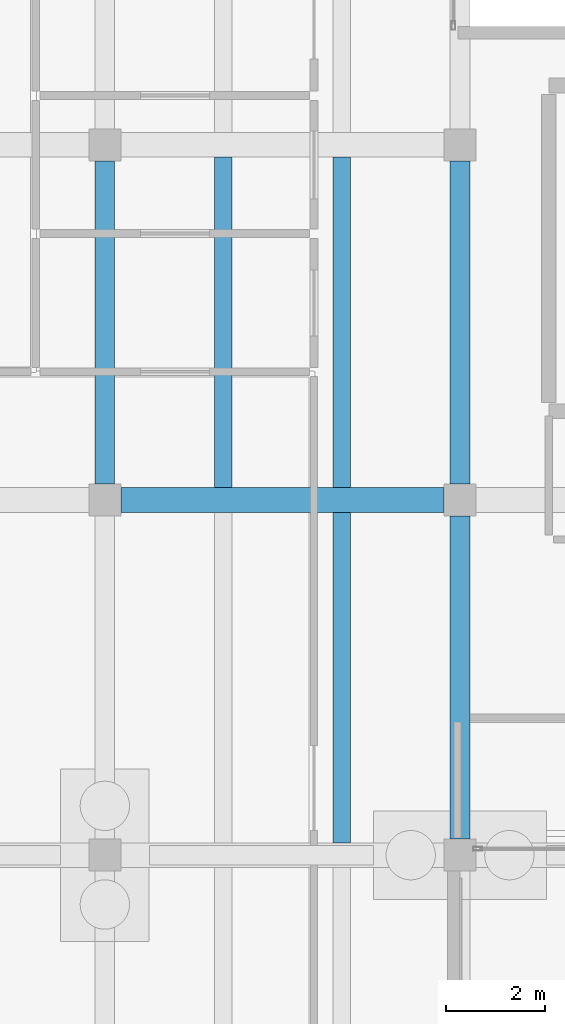
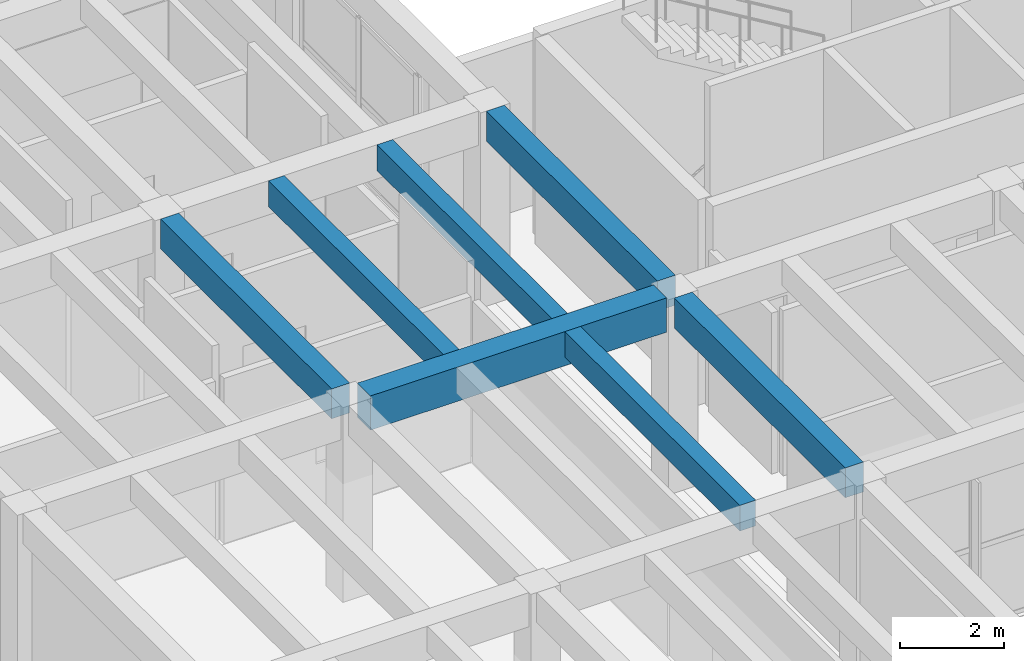
# One storey, part 62 of 155: 7 beams.
"""IFC4 building model written with IfcOpenShell, lengths in metres."""

from ifc_helpers import new_model, si_unit, direction, frame, origin, origin_2d, place, context, subcontext, project, spatial, rectangle, extrude, material, material_profile, profile_set, type_object, element, save


model = new_model("IFC4")

# Units and contexts
model_context = context("Model", 3, precision=1e-05, world=origin(), true_north=direction((0.0, 1.0)))
body_context = subcontext(model_context, "Body", "Model", "MODEL_VIEW")
ifc_project = project(units=[si_unit("LENGTHUNIT", "METRE"), si_unit("AREAUNIT", "SQUARE_METRE"), si_unit("VOLUMEUNIT", "CUBIC_METRE"), si_unit("PLANEANGLEUNIT", "RADIAN"), si_unit("MASSUNIT", "GRAM", prefix="KILO")], contexts=[model_context])

# Site, building, storey
site_placement = place(None, origin())
site = spatial("IfcSite", under=ifc_project, at=site_placement, CompositionType="ELEMENT")
building_placement = place(site_placement, origin())
building = spatial("IfcBuilding", under=site, at=building_placement, Name="Bramvelor Terrace Health Centre", CompositionType="ELEMENT")
storey_placement = place(building_placement, origin())
storey = spatial("IfcBuildingStorey", under=building, at=storey_placement, Name="L01", CompositionType="ELEMENT", Elevation=0.0)

# Beams
ifc_material_1 = material(Name="Concrete C40/50", Category="concrete")
ifc_material_profile_1 = material_profile(ifc_material_1, rectangle(XDim=0.39990234375, YDim=0.699951171875, at=origin_2d()), Name="RC 400x700")
ifc_profile_set_1 = profile_set([ifc_material_profile_1], Name="Concrete C40/50")
beam_type_1 = type_object("IfcBeamType", Name="BM-RC-G700", PredefinedType="BEAM", material=ifc_profile_set_1)
beam_1_placement = place(storey_placement, frame((7.199951171875, 86.72509765625, 4.2099609375), z_axis=(0.0, 1.0, 0.0), x_axis=(-1.0, 0.0, 0.0)))
element("IfcBeam", 1, at=beam_1_placement, inside=storey, type_object=beam_type_1, Name="L01 Floor Girder", PredefinedType="BEAM", context=body_context, shape_type="SweptSolid", body=[
    extrude(rectangle(XDim=0.39990234375, YDim=0.699951171875, at=origin_2d()), origin(), (0.0, 0.0, 1.0), 6.5498046875),
])
beam_2_placement = place(storey_placement, frame((14.39990234375, 79.52490234375, 4.2099609375), z_axis=(0.0, 1.0, 0.0), x_axis=(-1.0, 0.0, 0.0)))
element("IfcBeam", 2, at=beam_2_placement, inside=storey, type_object=beam_type_1, Name="L01 Floor Girder", PredefinedType="BEAM", context=body_context, shape_type="SweptSolid", body=[
    extrude(rectangle(XDim=0.39990234375, YDim=0.699951171875, at=origin_2d()), origin(), (0.0, 0.0, 1.0), 6.550048828125),
])
beam_3_placement = place(storey_placement, frame((14.39990234375, 86.72509765625, 4.2099609375), z_axis=(0.0, 1.0, 0.0), x_axis=(-1.0, 0.0, 0.0)))
element("IfcBeam", 3, at=beam_3_placement, inside=storey, type_object=beam_type_1, Name="L01 Floor Girder", PredefinedType="BEAM", context=body_context, shape_type="SweptSolid", body=[
    extrude(rectangle(XDim=0.39990234375, YDim=0.699951171875, at=origin_2d()), origin(), (0.0, 0.0, 1.0), 6.5498046875),
])
ifc_material_2 = material(Name="Concrete C40/50", Category="concrete")
ifc_material_profile_2 = material_profile(ifc_material_2, rectangle(XDim=0.5, YDim=0.800048828125, at=origin_2d()), Name="RC 500x800")
ifc_profile_set_2 = profile_set([ifc_material_profile_2], Name="Concrete C40/50")
beam_type_2 = type_object("IfcBeamType", Name="BM-RC-G800", PredefinedType="BEAM", material=ifc_profile_set_2)
beam_4_placement = place(storey_placement, frame((7.52490234375, 86.39990234375, 4.159912109375), z_axis=(1.0, 0.0, 0.0), x_axis=(0.0, 1.0, 0.0)))
element("IfcBeam", 4, at=beam_4_placement, inside=storey, type_object=beam_type_2, Name="L01 Floor Girder", PredefinedType="BEAM", context=body_context, shape_type="SweptSolid", body=[
    extrude(rectangle(XDim=0.5, YDim=0.800048828125, at=origin_2d()), origin(), (0.0, 0.0, 1.0), 6.550048828125),
])
ifc_material_3 = material(Name="Concrete C40/50", Category="concrete")
ifc_material_profile_3 = material_profile(ifc_material_3, rectangle(XDim=0.35009765625, YDim=0.60009765625, at=origin_2d()), Name="RC 350x600")
ifc_profile_set_3 = profile_set([ifc_material_profile_3], Name="Concrete C40/50")
beam_type_3 = type_object("IfcBeamType", Name="BM-RC-J600", PredefinedType="JOIST", material=ifc_profile_set_3)
beam_5_placement = place(storey_placement, frame((12.0, 79.449951171875, 4.260009765625), z_axis=(0.0, 1.0, 0.0), x_axis=(-1.0, 0.0, 0.0)))
element("IfcBeam", 5, at=beam_5_placement, inside=storey, type_object=beam_type_3, Name="L01 Secondary Floor Joist", PredefinedType="JOIST", context=body_context, shape_type="SweptSolid", body=[
    extrude(rectangle(XDim=0.35009765625, YDim=0.60009765625, at=origin_2d()), origin(), (0.0, 0.0, 1.0), 6.699951171875),
])
for number, where, z_axis, x_axis, name in (
    (6, (9.60009765625, 86.64990234375, 4.260009765625), (0.0, 1.0, 0.0), (-1.0, 0.0, 0.0), "L01 Secondary Floor Joist"),
    (7, (12.0, 86.64990234375, 4.260009765625), (0.0, 1.0, 0.0), (-1.0, 0.0, 0.0), "L01 Secondary Floor Joist"),
):
    element("IfcBeam", number, at=place(storey_placement, frame(where, z_axis=z_axis, x_axis=x_axis)), inside=storey, type_object=beam_type_3, Name=name, PredefinedType="JOIST", context=body_context, shape_type="SweptSolid", body=[
        extrude(rectangle(XDim=0.35009765625, YDim=0.60009765625, at=origin_2d()), origin(), (0.0, 0.0, 1.0), 6.7001953125),
    ])

save(model, "model.ifc")
